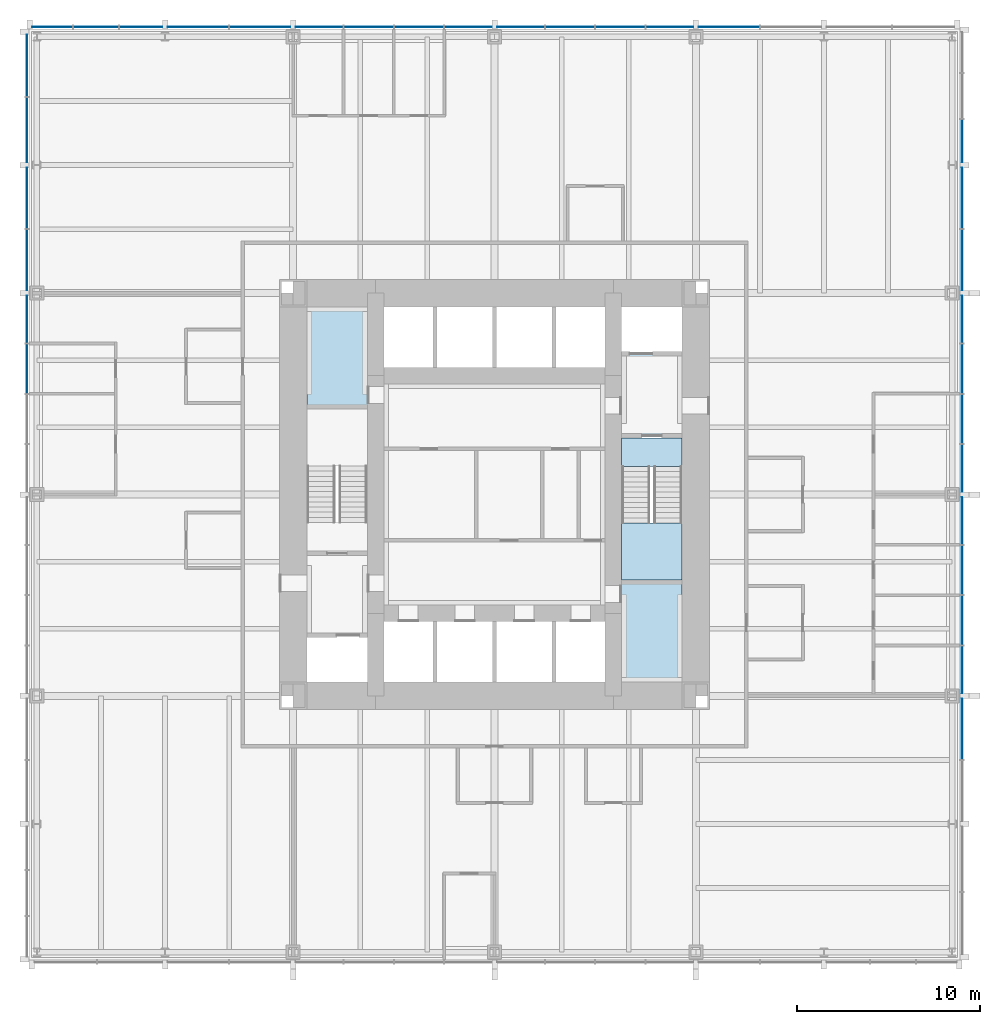
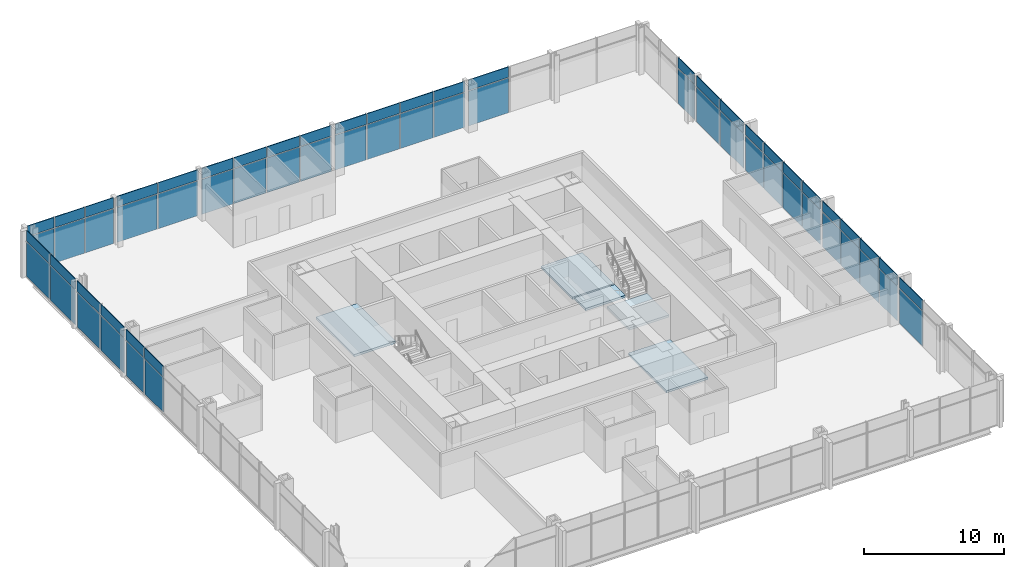
# One storey, part 8 of 12: 64 plates, 5 slabs, 4 elements without a shape of their own.
"""IFC4 building model written with IfcOpenShell, lengths in metres."""

from ifc_helpers import new_model, si_unit, direction, frame, origin, origin_2d, place, context, subcontext, project, spatial, polyline, rectangle, outline, extrude, material, layer, layer_set, type_object, element, aggregate, save


model = new_model("IFC4")

# Units and contexts
model_context = context("Model", 3, precision=1e-05, world=origin(), true_north=direction((0.0, 1.0)))
body_context = subcontext(model_context, "Body", "Model", "MODEL_VIEW")
ifc_project = project(units=[si_unit("LENGTHUNIT", "METRE"), si_unit("AREAUNIT", "SQUARE_METRE"), si_unit("VOLUMEUNIT", "CUBIC_METRE"), si_unit("PLANEANGLEUNIT", "RADIAN"), si_unit("MASSUNIT", "GRAM", prefix="KILO")], contexts=[model_context])

# Site, building, storey
site_placement = place(None, origin())
site = spatial("IfcSite", under=ifc_project, at=site_placement, CompositionType="ELEMENT")
building_placement = place(site_placement, origin())
building = spatial("IfcBuilding", under=site, at=building_placement, Name="Trevanion Tower", CompositionType="ELEMENT")
storey_placement = place(building_placement, frame((0.0, 0.0, 40.60009765625)))
storey = spatial("IfcBuildingStorey", under=building, at=storey_placement, Name="L09", CompositionType="ELEMENT", Elevation=40.60009765625)

# Curtain wall, plates
ifc_material_1 = material(Name="Aluminium and glass", Category="aluminium")
curtain_wall_type = type_object("IfcCurtainWallType", Name="CW1 curtain wall", PredefinedType="USERDEFINED", material=ifc_material_1)
curtain_wall_1_placement = place(storey_placement, origin())
curtain_wall_1 = element("IfcCurtainWall", 1, at=curtain_wall_1_placement, inside=storey, type_object=curtain_wall_type, Name="CW1 L09 0", ObjectType="UNITISED CURTAIN WALL", PredefinedType="USERDEFINED")
ifc_material_2 = material(Name="Aluminium spandrel panel", Category="aluminium")
ifc_layer_1 = layer(ifc_material_2, 0.06005859375)
ifc_layer_set_1 = layer_set([ifc_layer_1], Name="CW1 spandrel panel")
plate_type_1 = type_object("IfcPlateType", Name="CW1 spandrel panel", PredefinedType="CURTAIN_PANEL", material=ifc_layer_set_1)
plate_1_placement = place(storey_placement, frame((25.550048828125, -12.806396484375, 2.997314453125), z_axis=(0.0, 0.0, 1.0), x_axis=(0.0, 1.0, 0.0)))
plate_1 = element("IfcPlate", 2, at=plate_1_placement, type_object=plate_type_1, Name="CW1 panel 4.2", PredefinedType="CURTAIN_PANEL", context=body_context, shape_type="SweptSolid", body=[
    extrude(rectangle(XDim=3.3125, YDim=0.06005859375, at=origin_2d()), origin(), (0.0, 0.0, 1.0), 0.91259765625),
])
plate_2_placement = place(storey_placement, frame((25.550048828125, -9.56884765625, 2.997314453125), z_axis=(0.0, 0.0, 1.0), x_axis=(0.0, 1.0, 0.0)))
plate_2 = element("IfcPlate", 3, at=plate_2_placement, type_object=plate_type_1, Name="CW1 panel 5.2", PredefinedType="CURTAIN_PANEL", context=body_context, shape_type="SweptSolid", body=[
    extrude(rectangle(XDim=2.5625, YDim=0.06005859375, at=origin_2d()), origin(), (0.0, 0.0, 1.0), 0.91259765625),
])
plate_3_placement = place(storey_placement, frame((25.550048828125, -6.875, 2.997314453125), z_axis=(0.0, 0.0, 1.0), x_axis=(0.0, 1.0, 0.0)))
plate_3 = element("IfcPlate", 4, at=plate_3_placement, type_object=plate_type_1, Name="CW1 panel 6.2", PredefinedType="CURTAIN_PANEL", context=body_context, shape_type="SweptSolid", body=[
    extrude(rectangle(XDim=2.675048828125, YDim=0.06005859375, at=origin_2d()), origin(), (0.0, 0.0, 1.0), 0.91259765625),
])
plate_4_placement = place(storey_placement, frame((25.550048828125, -4.125, 2.997314453125), z_axis=(0.0, 0.0, 1.0), x_axis=(0.0, 1.0, 0.0)))
plate_4 = element("IfcPlate", 5, at=plate_4_placement, type_object=plate_type_1, Name="CW1 panel 7.2", PredefinedType="CURTAIN_PANEL", context=body_context, shape_type="SweptSolid", body=[
    extrude(rectangle(XDim=2.675048828125, YDim=0.06005859375, at=origin_2d()), origin(), (0.0, 0.0, 1.0), 0.91259765625),
])
plate_5_placement = place(storey_placement, frame((25.550048828125, -1.43115234375, 2.997314453125), z_axis=(0.0, 0.0, 1.0), x_axis=(0.0, 1.0, 0.0)))
plate_5 = element("IfcPlate", 6, at=plate_5_placement, type_object=plate_type_1, Name="CW1 panel 8.2", PredefinedType="CURTAIN_PANEL", context=body_context, shape_type="SweptSolid", body=[
    extrude(rectangle(XDim=2.5625, YDim=0.06005859375, at=origin_2d()), origin(), (0.0, 0.0, 1.0), 0.91259765625),
])
plate_6_placement = place(storey_placement, frame((25.550048828125, 1.43115234375, 2.997314453125), z_axis=(0.0, 0.0, 1.0), x_axis=(0.0, 1.0, 0.0)))
plate_6 = element("IfcPlate", 7, at=plate_6_placement, type_object=plate_type_1, Name="CW1 panel 9.2", PredefinedType="CURTAIN_PANEL", context=body_context, shape_type="SweptSolid", body=[
    extrude(rectangle(XDim=2.5625, YDim=0.06005859375, at=origin_2d()), origin(), (0.0, 0.0, 1.0), 0.91259765625),
])
plate_7_placement = place(storey_placement, frame((25.550048828125, 4.125, 2.997314453125), z_axis=(0.0, 0.0, 1.0), x_axis=(0.0, 1.0, 0.0)))
plate_7 = element("IfcPlate", 8, at=plate_7_placement, type_object=plate_type_1, Name="CW1 panel 10.2", PredefinedType="CURTAIN_PANEL", context=body_context, shape_type="SweptSolid", body=[
    extrude(rectangle(XDim=2.675048828125, YDim=0.06005859375, at=origin_2d()), origin(), (0.0, 0.0, 1.0), 0.91259765625),
])
plate_8_placement = place(storey_placement, frame((25.550048828125, 6.875, 2.997314453125), z_axis=(0.0, 0.0, 1.0), x_axis=(0.0, 1.0, 0.0)))
plate_8 = element("IfcPlate", 9, at=plate_8_placement, type_object=plate_type_1, Name="CW1 panel 11.2", PredefinedType="CURTAIN_PANEL", context=body_context, shape_type="SweptSolid", body=[
    extrude(rectangle(XDim=2.675048828125, YDim=0.06005859375, at=origin_2d()), origin(), (0.0, 0.0, 1.0), 0.91259765625),
])
plate_9_placement = place(storey_placement, frame((25.550048828125, 9.56884765625, 2.997314453125), z_axis=(0.0, 0.0, 1.0), x_axis=(0.0, 1.0, 0.0)))
plate_9 = element("IfcPlate", 10, at=plate_9_placement, type_object=plate_type_1, Name="CW1 panel 12.2", PredefinedType="CURTAIN_PANEL", context=body_context, shape_type="SweptSolid", body=[
    extrude(rectangle(XDim=2.5625, YDim=0.06005859375, at=origin_2d()), origin(), (0.0, 0.0, 1.0), 0.91259765625),
])
plate_10_placement = place(storey_placement, frame((25.550048828125, 12.80615234375, 2.997314453125), z_axis=(0.0, 0.0, 1.0), x_axis=(0.0, 1.0, 0.0)))
plate_10 = element("IfcPlate", 11, at=plate_10_placement, type_object=plate_type_1, Name="CW1 panel 13.2", PredefinedType="CURTAIN_PANEL", context=body_context, shape_type="SweptSolid", body=[
    extrude(rectangle(XDim=3.3125, YDim=0.06005859375, at=origin_2d()), origin(), (0.0, 0.0, 1.0), 0.91259765625),
])
plate_11_placement = place(storey_placement, frame((25.550048828125, 16.19384765625, 2.997314453125), z_axis=(0.0, 0.0, 1.0), x_axis=(0.0, 1.0, 0.0)))
plate_11 = element("IfcPlate", 12, at=plate_11_placement, type_object=plate_type_1, Name="CW1 panel 14.2", PredefinedType="CURTAIN_PANEL", context=body_context, shape_type="SweptSolid", body=[
    extrude(rectangle(XDim=3.3125, YDim=0.06005859375, at=origin_2d()), origin(), (0.0, 0.0, 1.0), 0.91259765625),
])
plate_12_placement = place(storey_placement, frame((25.550048828125, 19.314697265625, 2.997314453125), z_axis=(0.0, 0.0, 1.0), x_axis=(0.0, 1.0, 0.0)))
plate_12 = element("IfcPlate", 13, at=plate_12_placement, type_object=plate_type_1, Name="CW1 panel 15.2", PredefinedType="CURTAIN_PANEL", context=body_context, shape_type="SweptSolid", body=[
    extrude(rectangle(XDim=2.3291015625, YDim=0.06005859375, at=origin_2d()), origin(), (0.0, 0.0, 1.0), 0.91259765625),
])

curtain_wall_2_placement = place(storey_placement, origin())
curtain_wall_2 = element("IfcCurtainWall", 14, at=curtain_wall_2_placement, inside=storey, type_object=curtain_wall_type, Name="CW1 L09 1", ObjectType="UNITISED CURTAIN WALL", PredefinedType="USERDEFINED")
plate_13_placement = place(storey_placement, frame((12.806396484375, 25.550048828125, 2.997314453125), z_axis=(0.0, 0.0, 1.0), x_axis=(-1.0, 0.0, 0.0)))
plate_13 = element("IfcPlate", 15, at=plate_13_placement, type_object=plate_type_1, Name="CW1 panel 4.2", PredefinedType="CURTAIN_PANEL", context=body_context, shape_type="SweptSolid", body=[
    extrude(rectangle(XDim=3.3125, YDim=0.06005859375, at=origin_2d()), origin(), (0.0, 0.0, 1.0), 0.91259765625),
])
plate_14_placement = place(storey_placement, frame((9.56884765625, 25.550048828125, 2.997314453125), z_axis=(0.0, 0.0, 1.0), x_axis=(-1.0, 0.0, 0.0)))
plate_14 = element("IfcPlate", 16, at=plate_14_placement, type_object=plate_type_1, Name="CW1 panel 5.2", PredefinedType="CURTAIN_PANEL", context=body_context, shape_type="SweptSolid", body=[
    extrude(rectangle(XDim=2.5625, YDim=0.06005859375, at=origin_2d()), origin(), (0.0, 0.0, 1.0), 0.91259765625),
])
plate_15_placement = place(storey_placement, frame((6.875, 25.550048828125, 2.997314453125), z_axis=(0.0, 0.0, 1.0), x_axis=(-1.0, 0.0, 0.0)))
plate_15 = element("IfcPlate", 17, at=plate_15_placement, type_object=plate_type_1, Name="CW1 panel 6.2", PredefinedType="CURTAIN_PANEL", context=body_context, shape_type="SweptSolid", body=[
    extrude(rectangle(XDim=2.675048828125, YDim=0.06005859375, at=origin_2d()), origin(), (0.0, 0.0, 1.0), 0.91259765625),
])
plate_16_placement = place(storey_placement, frame((4.125, 25.550048828125, 2.997314453125), z_axis=(0.0, 0.0, 1.0), x_axis=(-1.0, 0.0, 0.0)))
plate_16 = element("IfcPlate", 18, at=plate_16_placement, type_object=plate_type_1, Name="CW1 panel 7.2", PredefinedType="CURTAIN_PANEL", context=body_context, shape_type="SweptSolid", body=[
    extrude(rectangle(XDim=2.675048828125, YDim=0.06005859375, at=origin_2d()), origin(), (0.0, 0.0, 1.0), 0.91259765625),
])
plate_17_placement = place(storey_placement, frame((1.43115234375, 25.550048828125, 2.997314453125), z_axis=(0.0, 0.0, 1.0), x_axis=(-1.0, 0.0, 0.0)))
plate_17 = element("IfcPlate", 19, at=plate_17_placement, type_object=plate_type_1, Name="CW1 panel 8.2", PredefinedType="CURTAIN_PANEL", context=body_context, shape_type="SweptSolid", body=[
    extrude(rectangle(XDim=2.5625, YDim=0.06005859375, at=origin_2d()), origin(), (0.0, 0.0, 1.0), 0.91259765625),
])
plate_18_placement = place(storey_placement, frame((-1.43115234375, 25.550048828125, 2.997314453125), z_axis=(0.0, 0.0, 1.0), x_axis=(-1.0, 0.0, 0.0)))
plate_18 = element("IfcPlate", 20, at=plate_18_placement, type_object=plate_type_1, Name="CW1 panel 9.2", PredefinedType="CURTAIN_PANEL", context=body_context, shape_type="SweptSolid", body=[
    extrude(rectangle(XDim=2.5625, YDim=0.06005859375, at=origin_2d()), origin(), (0.0, 0.0, 1.0), 0.91259765625),
])
plate_19_placement = place(storey_placement, frame((-4.125, 25.550048828125, 2.997314453125), z_axis=(0.0, 0.0, 1.0), x_axis=(-1.0, 0.0, 0.0)))
plate_19 = element("IfcPlate", 21, at=plate_19_placement, type_object=plate_type_1, Name="CW1 panel 10.2", PredefinedType="CURTAIN_PANEL", context=body_context, shape_type="SweptSolid", body=[
    extrude(rectangle(XDim=2.675048828125, YDim=0.06005859375, at=origin_2d()), origin(), (0.0, 0.0, 1.0), 0.91259765625),
])
plate_20_placement = place(storey_placement, frame((-6.875, 25.550048828125, 2.997314453125), z_axis=(0.0, 0.0, 1.0), x_axis=(-1.0, 0.0, 0.0)))
plate_20 = element("IfcPlate", 22, at=plate_20_placement, type_object=plate_type_1, Name="CW1 panel 11.2", PredefinedType="CURTAIN_PANEL", context=body_context, shape_type="SweptSolid", body=[
    extrude(rectangle(XDim=2.675048828125, YDim=0.06005859375, at=origin_2d()), origin(), (0.0, 0.0, 1.0), 0.91259765625),
])
plate_21_placement = place(storey_placement, frame((-9.56884765625, 25.550048828125, 2.997314453125), z_axis=(0.0, 0.0, 1.0), x_axis=(-1.0, 0.0, 0.0)))
plate_21 = element("IfcPlate", 23, at=plate_21_placement, type_object=plate_type_1, Name="CW1 panel 12.2", PredefinedType="CURTAIN_PANEL", context=body_context, shape_type="SweptSolid", body=[
    extrude(rectangle(XDim=2.5625, YDim=0.06005859375, at=origin_2d()), origin(), (0.0, 0.0, 1.0), 0.91259765625),
])
plate_22_placement = place(storey_placement, frame((-12.80615234375, 25.550048828125, 2.997314453125), z_axis=(0.0, 0.0, 1.0), x_axis=(-1.0, 0.0, 0.0)))
plate_22 = element("IfcPlate", 24, at=plate_22_placement, type_object=plate_type_1, Name="CW1 panel 13.2", PredefinedType="CURTAIN_PANEL", context=body_context, shape_type="SweptSolid", body=[
    extrude(rectangle(XDim=3.3125, YDim=0.06005859375, at=origin_2d()), origin(), (0.0, 0.0, 1.0), 0.91259765625),
])
plate_23_placement = place(storey_placement, frame((-16.19384765625, 25.550048828125, 2.997314453125), z_axis=(0.0, 0.0, 1.0), x_axis=(-1.0, 0.0, 0.0)))
plate_23 = element("IfcPlate", 25, at=plate_23_placement, type_object=plate_type_1, Name="CW1 panel 14.2", PredefinedType="CURTAIN_PANEL", context=body_context, shape_type="SweptSolid", body=[
    extrude(rectangle(XDim=3.3125, YDim=0.06005859375, at=origin_2d()), origin(), (0.0, 0.0, 1.0), 0.91259765625),
])
plate_24_placement = place(storey_placement, frame((-19.314697265625, 25.550048828125, 2.997314453125), z_axis=(0.0, 0.0, 1.0), x_axis=(-1.0, 0.0, 0.0)))
plate_24 = element("IfcPlate", 26, at=plate_24_placement, type_object=plate_type_1, Name="CW1 panel 15.2", PredefinedType="CURTAIN_PANEL", context=body_context, shape_type="SweptSolid", body=[
    extrude(rectangle(XDim=2.3291015625, YDim=0.06005859375, at=origin_2d()), origin(), (0.0, 0.0, 1.0), 0.91259765625),
])
plate_25_placement = place(storey_placement, frame((-21.77490234375, 25.550048828125, 2.997314453125), z_axis=(0.0, 0.0, 1.0), x_axis=(-1.0, 0.0, 0.0)))
plate_25 = element("IfcPlate", 27, at=plate_25_placement, type_object=plate_type_1, Name="CW1 panel 16.2", PredefinedType="CURTAIN_PANEL", context=body_context, shape_type="SweptSolid", body=[
    extrude(rectangle(XDim=2.441650390625, YDim=0.06005859375, at=origin_2d()), origin(), (0.0, 0.0, 1.0), 0.91259765625),
])
plate_26_placement = place(storey_placement, frame((-24.160400390625, 25.550048828125, 2.997314453125), z_axis=(0.0, 0.0, 1.0), x_axis=(-1.0, 0.0, 0.0)))
plate_26 = element("IfcPlate", 28, at=plate_26_placement, type_object=plate_type_1, Name="CW1 panel 17.2", PredefinedType="CURTAIN_PANEL", context=body_context, shape_type="SweptSolid", body=[
    extrude(rectangle(XDim=2.17919921875, YDim=0.06005859375, at=origin_2d()), origin(), (0.0, 0.0, 1.0), 0.91259765625),
])

curtain_wall_3_placement = place(storey_placement, origin())
curtain_wall_3 = element("IfcCurtainWall", 29, at=curtain_wall_3_placement, inside=storey, type_object=curtain_wall_type, Name="CW1 L09 2", ObjectType="UNITISED CURTAIN WALL", PredefinedType="USERDEFINED")
plate_27_placement = place(storey_placement, frame((-25.550048828125, 23.433837890625, 2.997314453125), z_axis=(0.0, 0.0, 1.0), x_axis=(0.0, -1.0, 0.0)))
plate_27 = element("IfcPlate", 30, at=plate_27_placement, type_object=plate_type_1, Name="CW1 panel 1.2", PredefinedType="CURTAIN_PANEL", context=body_context, shape_type="SweptSolid", body=[
    extrude(rectangle(XDim=3.37255859375, YDim=0.06005859375, at=origin_2d()), origin(), (0.0, 0.0, 1.0), 0.91259765625),
])
plate_28_placement = place(storey_placement, frame((-25.550048828125, 19.911376953125, 2.997314453125), z_axis=(0.0, 0.0, 1.0), x_axis=(0.0, -1.0, 0.0)))
plate_28 = element("IfcPlate", 31, at=plate_28_placement, type_object=plate_type_1, Name="CW1 panel 2.2", PredefinedType="CURTAIN_PANEL", context=body_context, shape_type="SweptSolid", body=[
    extrude(rectangle(XDim=3.5224609375, YDim=0.06005859375, at=origin_2d()), origin(), (0.0, 0.0, 1.0), 0.91259765625),
])
plate_29_placement = place(storey_placement, frame((-25.550048828125, 16.19384765625, 2.997314453125), z_axis=(0.0, 0.0, 1.0), x_axis=(0.0, -1.0, 0.0)))
plate_29 = element("IfcPlate", 32, at=plate_29_placement, type_object=plate_type_1, Name="CW1 panel 3.2", PredefinedType="CURTAIN_PANEL", context=body_context, shape_type="SweptSolid", body=[
    extrude(rectangle(XDim=3.3125, YDim=0.06005859375, at=origin_2d()), origin(), (0.0, 0.0, 1.0), 0.91259765625),
])
plate_30_placement = place(storey_placement, frame((-25.550048828125, 12.806396484375, 2.997314453125), z_axis=(0.0, 0.0, 1.0), x_axis=(0.0, -1.0, 0.0)))
plate_30 = element("IfcPlate", 33, at=plate_30_placement, type_object=plate_type_1, Name="CW1 panel 4.2", PredefinedType="CURTAIN_PANEL", context=body_context, shape_type="SweptSolid", body=[
    extrude(rectangle(XDim=3.3125, YDim=0.06005859375, at=origin_2d()), origin(), (0.0, 0.0, 1.0), 0.91259765625),
])
plate_31_placement = place(storey_placement, frame((-25.550048828125, 9.56884765625, 2.997314453125), z_axis=(0.0, 0.0, 1.0), x_axis=(0.0, -1.0, 0.0)))
plate_31 = element("IfcPlate", 34, at=plate_31_placement, type_object=plate_type_1, Name="CW1 panel 5.2", PredefinedType="CURTAIN_PANEL", context=body_context, shape_type="SweptSolid", body=[
    extrude(rectangle(XDim=2.5625, YDim=0.06005859375, at=origin_2d()), origin(), (0.0, 0.0, 1.0), 0.91259765625),
])
plate_32_placement = place(storey_placement, frame((-25.550048828125, 6.875, 2.997314453125), z_axis=(0.0, 0.0, 1.0), x_axis=(0.0, -1.0, 0.0)))
plate_32 = element("IfcPlate", 35, at=plate_32_placement, type_object=plate_type_1, Name="CW1 panel 6.2", PredefinedType="CURTAIN_PANEL", context=body_context, shape_type="SweptSolid", body=[
    extrude(rectangle(XDim=2.675048828125, YDim=0.06005859375, at=origin_2d()), origin(), (0.0, 0.0, 1.0), 0.91259765625),
])

# Plate
ifc_material_3 = material(Name="Insulating glass unit", Category="glass")
ifc_layer_2 = layer(ifc_material_3, 0.028076171875)
ifc_layer_set_2 = layer_set([ifc_layer_2], Name="CW1 vision panel")
plate_type_2 = type_object("IfcPlateType", Name="CW1 vision panel", PredefinedType="CURTAIN_PANEL", material=ifc_layer_set_2)
plate_33_placement = place(storey_placement, frame((25.550048828125, -12.806396484375, -0.114990234375), z_axis=(0.0, 0.0, 1.0), x_axis=(0.0, 1.0, 0.0)))
plate_33 = element("IfcPlate", 36, at=plate_33_placement, type_object=plate_type_2, Name="CW1 panel 4.1", PredefinedType="CURTAIN_PANEL", context=body_context, shape_type="SweptSolid", body=[
    extrude(rectangle(XDim=3.3125, YDim=0.028076171875, at=origin_2d()), origin(), (0.0, 0.0, 1.0), 3.03759765625),
])

plate_34_placement = place(storey_placement, frame((25.550048828125, -9.56884765625, -0.114990234375), z_axis=(0.0, 0.0, 1.0), x_axis=(0.0, 1.0, 0.0)))
plate_34 = element("IfcPlate", 37, at=plate_34_placement, type_object=plate_type_2, Name="CW1 panel 5.1", PredefinedType="CURTAIN_PANEL", context=body_context, shape_type="SweptSolid", body=[
    extrude(rectangle(XDim=2.5625, YDim=0.028076171875, at=origin_2d()), origin(), (0.0, 0.0, 1.0), 3.03759765625),
])

plate_35_placement = place(storey_placement, frame((25.550048828125, -6.875, -0.114990234375), z_axis=(0.0, 0.0, 1.0), x_axis=(0.0, 1.0, 0.0)))
plate_35 = element("IfcPlate", 38, at=plate_35_placement, type_object=plate_type_2, Name="CW1 panel 6.1", PredefinedType="CURTAIN_PANEL", context=body_context, shape_type="SweptSolid", body=[
    extrude(rectangle(XDim=2.675048828125, YDim=0.028076171875, at=origin_2d()), origin(), (0.0, 0.0, 1.0), 3.03759765625),
])

plate_36_placement = place(storey_placement, frame((25.550048828125, -4.125, -0.114990234375), z_axis=(0.0, 0.0, 1.0), x_axis=(0.0, 1.0, 0.0)))
plate_36 = element("IfcPlate", 39, at=plate_36_placement, type_object=plate_type_2, Name="CW1 panel 7.1", PredefinedType="CURTAIN_PANEL", context=body_context, shape_type="SweptSolid", body=[
    extrude(rectangle(XDim=2.675048828125, YDim=0.028076171875, at=origin_2d()), origin(), (0.0, 0.0, 1.0), 3.03759765625),
])

plate_37_placement = place(storey_placement, frame((25.550048828125, -1.43115234375, -0.114990234375), z_axis=(0.0, 0.0, 1.0), x_axis=(0.0, 1.0, 0.0)))
plate_37 = element("IfcPlate", 40, at=plate_37_placement, type_object=plate_type_2, Name="CW1 panel 8.1", PredefinedType="CURTAIN_PANEL", context=body_context, shape_type="SweptSolid", body=[
    extrude(rectangle(XDim=2.5625, YDim=0.028076171875, at=origin_2d()), origin(), (0.0, 0.0, 1.0), 3.03759765625),
])

plate_38_placement = place(storey_placement, frame((25.550048828125, 1.43115234375, -0.114990234375), z_axis=(0.0, 0.0, 1.0), x_axis=(0.0, 1.0, 0.0)))
plate_38 = element("IfcPlate", 41, at=plate_38_placement, type_object=plate_type_2, Name="CW1 panel 9.1", PredefinedType="CURTAIN_PANEL", context=body_context, shape_type="SweptSolid", body=[
    extrude(rectangle(XDim=2.5625, YDim=0.028076171875, at=origin_2d()), origin(), (0.0, 0.0, 1.0), 3.03759765625),
])

plate_39_placement = place(storey_placement, frame((25.550048828125, 4.125, -0.114990234375), z_axis=(0.0, 0.0, 1.0), x_axis=(0.0, 1.0, 0.0)))
plate_39 = element("IfcPlate", 42, at=plate_39_placement, type_object=plate_type_2, Name="CW1 panel 10.1", PredefinedType="CURTAIN_PANEL", context=body_context, shape_type="SweptSolid", body=[
    extrude(rectangle(XDim=2.675048828125, YDim=0.028076171875, at=origin_2d()), origin(), (0.0, 0.0, 1.0), 3.03759765625),
])

plate_40_placement = place(storey_placement, frame((25.550048828125, 6.875, -0.114990234375), z_axis=(0.0, 0.0, 1.0), x_axis=(0.0, 1.0, 0.0)))
plate_40 = element("IfcPlate", 43, at=plate_40_placement, type_object=plate_type_2, Name="CW1 panel 11.1", PredefinedType="CURTAIN_PANEL", context=body_context, shape_type="SweptSolid", body=[
    extrude(rectangle(XDim=2.675048828125, YDim=0.028076171875, at=origin_2d()), origin(), (0.0, 0.0, 1.0), 3.03759765625),
])

plate_41_placement = place(storey_placement, frame((25.550048828125, 9.56884765625, -0.114990234375), z_axis=(0.0, 0.0, 1.0), x_axis=(0.0, 1.0, 0.0)))
plate_41 = element("IfcPlate", 44, at=plate_41_placement, type_object=plate_type_2, Name="CW1 panel 12.1", PredefinedType="CURTAIN_PANEL", context=body_context, shape_type="SweptSolid", body=[
    extrude(rectangle(XDim=2.5625, YDim=0.028076171875, at=origin_2d()), origin(), (0.0, 0.0, 1.0), 3.03759765625),
])

plate_42_placement = place(storey_placement, frame((25.550048828125, 12.80615234375, -0.114990234375), z_axis=(0.0, 0.0, 1.0), x_axis=(0.0, 1.0, 0.0)))
plate_42 = element("IfcPlate", 45, at=plate_42_placement, type_object=plate_type_2, Name="CW1 panel 13.1", PredefinedType="CURTAIN_PANEL", context=body_context, shape_type="SweptSolid", body=[
    extrude(rectangle(XDim=3.3125, YDim=0.028076171875, at=origin_2d()), origin(), (0.0, 0.0, 1.0), 3.03759765625),
])

plate_43_placement = place(storey_placement, frame((25.550048828125, 16.19384765625, -0.114990234375), z_axis=(0.0, 0.0, 1.0), x_axis=(0.0, 1.0, 0.0)))
plate_43 = element("IfcPlate", 46, at=plate_43_placement, type_object=plate_type_2, Name="CW1 panel 14.1", PredefinedType="CURTAIN_PANEL", context=body_context, shape_type="SweptSolid", body=[
    extrude(rectangle(XDim=3.3125, YDim=0.028076171875, at=origin_2d()), origin(), (0.0, 0.0, 1.0), 3.03759765625),
])

plate_44_placement = place(storey_placement, frame((25.550048828125, 19.314697265625, -0.114990234375), z_axis=(0.0, 0.0, 1.0), x_axis=(0.0, 1.0, 0.0)))
plate_44 = element("IfcPlate", 47, at=plate_44_placement, type_object=plate_type_2, Name="CW1 panel 15.1", PredefinedType="CURTAIN_PANEL", context=body_context, shape_type="SweptSolid", body=[
    extrude(rectangle(XDim=2.3291015625, YDim=0.028076171875, at=origin_2d()), origin(), (0.0, 0.0, 1.0), 3.03759765625),
])

aggregate(curtain_wall_1, [plate_33, plate_1, plate_34, plate_2, plate_35, plate_3, plate_36, plate_4, plate_37, plate_5, plate_38, plate_6, plate_39, plate_7, plate_40, plate_8, plate_41, plate_9, plate_42, plate_10, plate_43, plate_11, plate_44, plate_12])

plate_45_placement = place(storey_placement, frame((12.806396484375, 25.550048828125, -0.114990234375), z_axis=(0.0, 0.0, 1.0), x_axis=(-1.0, 0.0, 0.0)))
plate_45 = element("IfcPlate", 48, at=plate_45_placement, type_object=plate_type_2, Name="CW1 panel 4.1", PredefinedType="CURTAIN_PANEL", context=body_context, shape_type="SweptSolid", body=[
    extrude(rectangle(XDim=3.3125, YDim=0.028076171875, at=origin_2d()), origin(), (0.0, 0.0, 1.0), 3.03759765625),
])

plate_46_placement = place(storey_placement, frame((9.56884765625, 25.550048828125, -0.114990234375), z_axis=(0.0, 0.0, 1.0), x_axis=(-1.0, 0.0, 0.0)))
plate_46 = element("IfcPlate", 49, at=plate_46_placement, type_object=plate_type_2, Name="CW1 panel 5.1", PredefinedType="CURTAIN_PANEL", context=body_context, shape_type="SweptSolid", body=[
    extrude(rectangle(XDim=2.5625, YDim=0.028076171875, at=origin_2d()), origin(), (0.0, 0.0, 1.0), 3.03759765625),
])

plate_47_placement = place(storey_placement, frame((6.875, 25.550048828125, -0.114990234375), z_axis=(0.0, 0.0, 1.0), x_axis=(-1.0, 0.0, 0.0)))
plate_47 = element("IfcPlate", 50, at=plate_47_placement, type_object=plate_type_2, Name="CW1 panel 6.1", PredefinedType="CURTAIN_PANEL", context=body_context, shape_type="SweptSolid", body=[
    extrude(rectangle(XDim=2.675048828125, YDim=0.028076171875, at=origin_2d()), origin(), (0.0, 0.0, 1.0), 3.03759765625),
])

plate_48_placement = place(storey_placement, frame((4.125, 25.550048828125, -0.114990234375), z_axis=(0.0, 0.0, 1.0), x_axis=(-1.0, 0.0, 0.0)))
plate_48 = element("IfcPlate", 51, at=plate_48_placement, type_object=plate_type_2, Name="CW1 panel 7.1", PredefinedType="CURTAIN_PANEL", context=body_context, shape_type="SweptSolid", body=[
    extrude(rectangle(XDim=2.675048828125, YDim=0.028076171875, at=origin_2d()), origin(), (0.0, 0.0, 1.0), 3.03759765625),
])

plate_49_placement = place(storey_placement, frame((1.43115234375, 25.550048828125, -0.114990234375), z_axis=(0.0, 0.0, 1.0), x_axis=(-1.0, 0.0, 0.0)))
plate_49 = element("IfcPlate", 52, at=plate_49_placement, type_object=plate_type_2, Name="CW1 panel 8.1", PredefinedType="CURTAIN_PANEL", context=body_context, shape_type="SweptSolid", body=[
    extrude(rectangle(XDim=2.5625, YDim=0.028076171875, at=origin_2d()), origin(), (0.0, 0.0, 1.0), 3.03759765625),
])

plate_50_placement = place(storey_placement, frame((-1.43115234375, 25.550048828125, -0.114990234375), z_axis=(0.0, 0.0, 1.0), x_axis=(-1.0, 0.0, 0.0)))
plate_50 = element("IfcPlate", 53, at=plate_50_placement, type_object=plate_type_2, Name="CW1 panel 9.1", PredefinedType="CURTAIN_PANEL", context=body_context, shape_type="SweptSolid", body=[
    extrude(rectangle(XDim=2.5625, YDim=0.028076171875, at=origin_2d()), origin(), (0.0, 0.0, 1.0), 3.03759765625),
])

plate_51_placement = place(storey_placement, frame((-4.125, 25.550048828125, -0.114990234375), z_axis=(0.0, 0.0, 1.0), x_axis=(-1.0, 0.0, 0.0)))
plate_51 = element("IfcPlate", 54, at=plate_51_placement, type_object=plate_type_2, Name="CW1 panel 10.1", PredefinedType="CURTAIN_PANEL", context=body_context, shape_type="SweptSolid", body=[
    extrude(rectangle(XDim=2.675048828125, YDim=0.028076171875, at=origin_2d()), origin(), (0.0, 0.0, 1.0), 3.03759765625),
])

plate_52_placement = place(storey_placement, frame((-6.875, 25.550048828125, -0.114990234375), z_axis=(0.0, 0.0, 1.0), x_axis=(-1.0, 0.0, 0.0)))
plate_52 = element("IfcPlate", 55, at=plate_52_placement, type_object=plate_type_2, Name="CW1 panel 11.1", PredefinedType="CURTAIN_PANEL", context=body_context, shape_type="SweptSolid", body=[
    extrude(rectangle(XDim=2.675048828125, YDim=0.028076171875, at=origin_2d()), origin(), (0.0, 0.0, 1.0), 3.03759765625),
])

plate_53_placement = place(storey_placement, frame((-9.56884765625, 25.550048828125, -0.114990234375), z_axis=(0.0, 0.0, 1.0), x_axis=(-1.0, 0.0, 0.0)))
plate_53 = element("IfcPlate", 56, at=plate_53_placement, type_object=plate_type_2, Name="CW1 panel 12.1", PredefinedType="CURTAIN_PANEL", context=body_context, shape_type="SweptSolid", body=[
    extrude(rectangle(XDim=2.5625, YDim=0.028076171875, at=origin_2d()), origin(), (0.0, 0.0, 1.0), 3.03759765625),
])

plate_54_placement = place(storey_placement, frame((-12.80615234375, 25.550048828125, -0.114990234375), z_axis=(0.0, 0.0, 1.0), x_axis=(-1.0, 0.0, 0.0)))
plate_54 = element("IfcPlate", 57, at=plate_54_placement, type_object=plate_type_2, Name="CW1 panel 13.1", PredefinedType="CURTAIN_PANEL", context=body_context, shape_type="SweptSolid", body=[
    extrude(rectangle(XDim=3.3125, YDim=0.028076171875, at=origin_2d()), origin(), (0.0, 0.0, 1.0), 3.03759765625),
])

plate_55_placement = place(storey_placement, frame((-16.19384765625, 25.550048828125, -0.114990234375), z_axis=(0.0, 0.0, 1.0), x_axis=(-1.0, 0.0, 0.0)))
plate_55 = element("IfcPlate", 58, at=plate_55_placement, type_object=plate_type_2, Name="CW1 panel 14.1", PredefinedType="CURTAIN_PANEL", context=body_context, shape_type="SweptSolid", body=[
    extrude(rectangle(XDim=3.3125, YDim=0.028076171875, at=origin_2d()), origin(), (0.0, 0.0, 1.0), 3.03759765625),
])

plate_56_placement = place(storey_placement, frame((-19.314697265625, 25.550048828125, -0.114990234375), z_axis=(0.0, 0.0, 1.0), x_axis=(-1.0, 0.0, 0.0)))
plate_56 = element("IfcPlate", 59, at=plate_56_placement, type_object=plate_type_2, Name="CW1 panel 15.1", PredefinedType="CURTAIN_PANEL", context=body_context, shape_type="SweptSolid", body=[
    extrude(rectangle(XDim=2.3291015625, YDim=0.028076171875, at=origin_2d()), origin(), (0.0, 0.0, 1.0), 3.03759765625),
])

plate_57_placement = place(storey_placement, frame((-21.77490234375, 25.550048828125, -0.114990234375), z_axis=(0.0, 0.0, 1.0), x_axis=(-1.0, 0.0, 0.0)))
plate_57 = element("IfcPlate", 60, at=plate_57_placement, type_object=plate_type_2, Name="CW1 panel 16.1", PredefinedType="CURTAIN_PANEL", context=body_context, shape_type="SweptSolid", body=[
    extrude(rectangle(XDim=2.441650390625, YDim=0.028076171875, at=origin_2d()), origin(), (0.0, 0.0, 1.0), 3.03759765625),
])

plate_58_placement = place(storey_placement, frame((-24.160400390625, 25.550048828125, -0.114990234375), z_axis=(0.0, 0.0, 1.0), x_axis=(-1.0, 0.0, 0.0)))
plate_58 = element("IfcPlate", 61, at=plate_58_placement, type_object=plate_type_2, Name="CW1 panel 17.1", PredefinedType="CURTAIN_PANEL", context=body_context, shape_type="SweptSolid", body=[
    extrude(rectangle(XDim=2.17919921875, YDim=0.028076171875, at=origin_2d()), origin(), (0.0, 0.0, 1.0), 3.03759765625),
])

aggregate(curtain_wall_2, [plate_45, plate_13, plate_46, plate_14, plate_47, plate_15, plate_48, plate_16, plate_49, plate_17, plate_50, plate_18, plate_51, plate_19, plate_52, plate_20, plate_53, plate_21, plate_54, plate_22, plate_55, plate_23, plate_56, plate_24, plate_57, plate_25, plate_58, plate_26])

plate_59_placement = place(storey_placement, frame((-25.550048828125, 23.433837890625, -0.114990234375), z_axis=(0.0, 0.0, 1.0), x_axis=(0.0, -1.0, 0.0)))
plate_59 = element("IfcPlate", 62, at=plate_59_placement, type_object=plate_type_2, Name="CW1 panel 1.1", PredefinedType="CURTAIN_PANEL", context=body_context, shape_type="SweptSolid", body=[
    extrude(rectangle(XDim=3.37255859375, YDim=0.028076171875, at=origin_2d()), origin(), (0.0, 0.0, 1.0), 3.03759765625),
])

plate_60_placement = place(storey_placement, frame((-25.550048828125, 19.911376953125, -0.114990234375), z_axis=(0.0, 0.0, 1.0), x_axis=(0.0, -1.0, 0.0)))
plate_60 = element("IfcPlate", 63, at=plate_60_placement, type_object=plate_type_2, Name="CW1 panel 2.1", PredefinedType="CURTAIN_PANEL", context=body_context, shape_type="SweptSolid", body=[
    extrude(rectangle(XDim=3.5224609375, YDim=0.028076171875, at=origin_2d()), origin(), (0.0, 0.0, 1.0), 3.03759765625),
])

plate_61_placement = place(storey_placement, frame((-25.550048828125, 16.19384765625, -0.114990234375), z_axis=(0.0, 0.0, 1.0), x_axis=(0.0, -1.0, 0.0)))
plate_61 = element("IfcPlate", 64, at=plate_61_placement, type_object=plate_type_2, Name="CW1 panel 3.1", PredefinedType="CURTAIN_PANEL", context=body_context, shape_type="SweptSolid", body=[
    extrude(rectangle(XDim=3.3125, YDim=0.028076171875, at=origin_2d()), origin(), (0.0, 0.0, 1.0), 3.03759765625),
])

plate_62_placement = place(storey_placement, frame((-25.550048828125, 12.806396484375, -0.114990234375), z_axis=(0.0, 0.0, 1.0), x_axis=(0.0, -1.0, 0.0)))
plate_62 = element("IfcPlate", 65, at=plate_62_placement, type_object=plate_type_2, Name="CW1 panel 4.1", PredefinedType="CURTAIN_PANEL", context=body_context, shape_type="SweptSolid", body=[
    extrude(rectangle(XDim=3.3125, YDim=0.028076171875, at=origin_2d()), origin(), (0.0, 0.0, 1.0), 3.03759765625),
])

plate_63_placement = place(storey_placement, frame((-25.550048828125, 9.56884765625, -0.114990234375), z_axis=(0.0, 0.0, 1.0), x_axis=(0.0, -1.0, 0.0)))
plate_63 = element("IfcPlate", 66, at=plate_63_placement, type_object=plate_type_2, Name="CW1 panel 5.1", PredefinedType="CURTAIN_PANEL", context=body_context, shape_type="SweptSolid", body=[
    extrude(rectangle(XDim=2.5625, YDim=0.028076171875, at=origin_2d()), origin(), (0.0, 0.0, 1.0), 3.03759765625),
])

plate_64_placement = place(storey_placement, frame((-25.550048828125, 6.875, -0.114990234375), z_axis=(0.0, 0.0, 1.0), x_axis=(0.0, -1.0, 0.0)))
plate_64 = element("IfcPlate", 67, at=plate_64_placement, type_object=plate_type_2, Name="CW1 panel 6.1", PredefinedType="CURTAIN_PANEL", context=body_context, shape_type="SweptSolid", body=[
    extrude(rectangle(XDim=2.675048828125, YDim=0.028076171875, at=origin_2d()), origin(), (0.0, 0.0, 1.0), 3.03759765625),
])

aggregate(curtain_wall_3, [plate_59, plate_27, plate_60, plate_28, plate_61, plate_29, plate_62, plate_30, plate_63, plate_31, plate_64, plate_32])

# Slabs
ifc_material_4 = material(Name="Concrete 5,000 psi", Category="concrete")
ifc_layer_3 = layer(ifc_material_4, 0.199951171875)
ifc_layer_set_3 = layer_set([ifc_layer_3], Name="SL2 core floor 200")
slab_type_1 = type_object("IfcSlabType", Name="SL2 core floor 200", PredefinedType="FLOOR", material=ifc_layer_set_3)
slab_1_placement = place(storey_placement, frame((0.0, 0.0, -0.2001953125)))
element("IfcSlab", 68, at=slab_1_placement, inside=storey, type_object=slab_type_1, Name="SL2 L09 core floor 1", PredefinedType="FLOOR", context=body_context, shape_type="SweptSolid", body=[
    extrude(outline(polyline([(10.25, -4.804931640625), (10.25, -10.25), (6.830078125, -10.25), (6.830078125, -4.804931640625), (10.25, -4.804931640625)])), origin(), (0.0, 0.0, 1.0), 0.2001953125),
])
slab_2_placement = place(storey_placement, frame((0.0, 0.0, -0.2001953125)))
element("IfcSlab", 69, at=slab_2_placement, inside=storey, type_object=slab_type_1, Name="SL2 L09 core floor 4", PredefinedType="FLOOR", context=body_context, shape_type="SweptSolid", body=[
    extrude(outline(polyline([(6.830078125, 3.205078125), (6.830078125, 7.695068359375), (10.25, 7.695068359375), (10.25, 3.205078125), (6.830078125, 3.205078125)])), origin(), (0.0, 0.0, 1.0), 0.2001953125),
])
slab_3_placement = place(storey_placement, frame((0.0, 0.0, -0.2001953125)))
element("IfcSlab", 70, at=slab_3_placement, inside=storey, type_object=slab_type_1, Name="SL2 L09 core floor 5", PredefinedType="FLOOR", context=body_context, shape_type="SweptSolid", body=[
    extrude(outline(polyline([(-6.830078125, 4.804931640625), (-10.25, 4.804931640625), (-10.25, 10.25), (-6.830078125, 10.25), (-6.830078125, 4.804931640625)])), origin(), (0.0, 0.0, 1.0), 0.2001953125),
])

# Stair, slabs
ifc_material_5 = material(Name="Concrete 5,000 psi on steel stringers", Category="concrete")
stair_type = type_object("IfcStairType", Name="ST stair", PredefinedType="HALF_TURN_STAIR", material=ifc_material_5)
stair_placement = place(storey_placement, origin())
stair = element("IfcStair", 71, at=stair_placement, inside=storey, type_object=stair_type, Name="ST1 L09", PredefinedType="HALF_TURN_STAIR")
ifc_material_6 = material(Name="Concrete 5,000 psi in steel pan", Category="concrete")
ifc_layer_4 = layer(ifc_material_6, 0.199951171875)
ifc_layer_set_4 = layer_set([ifc_layer_4], Name="STL stair landing 200")
slab_type_2 = type_object("IfcSlabType", Name="STL stair landing 200", PredefinedType="LANDING", material=ifc_layer_set_4)
slab_4_placement = place(storey_placement, frame((0.0, 0.0, -0.2001953125)))
slab_4 = element("IfcSlab", 72, at=slab_4_placement, type_object=slab_type_2, Name="ST1 landing 1", PredefinedType="LANDING", context=body_context, shape_type="SweptSolid", body=[
    extrude(outline(polyline([(6.949951171875, 1.52490234375), (10.25, 1.52490234375), (10.25, 3.074951171875), (6.949951171875, 3.074951171875), (6.949951171875, 1.52490234375)])), origin(), (0.0, 0.0, 1.0), 0.2001953125),
])
slab_5_placement = place(storey_placement, frame((0.0, 0.0, 1.849853515625)))
slab_5 = element("IfcSlab", 73, at=slab_5_placement, type_object=slab_type_2, Name="ST1 landing 2", PredefinedType="LANDING", context=body_context, shape_type="SweptSolid", body=[
    extrude(outline(polyline([(6.949951171875, -4.675048828125), (10.25, -4.675048828125), (10.25, -1.554931640625), (6.949951171875, -1.554931640625), (6.949951171875, -4.675048828125)])), origin(), (0.0, 0.0, 1.0), 0.199951171875),
])
aggregate(stair, [slab_4, slab_5])

save(model, "model.ifc")
